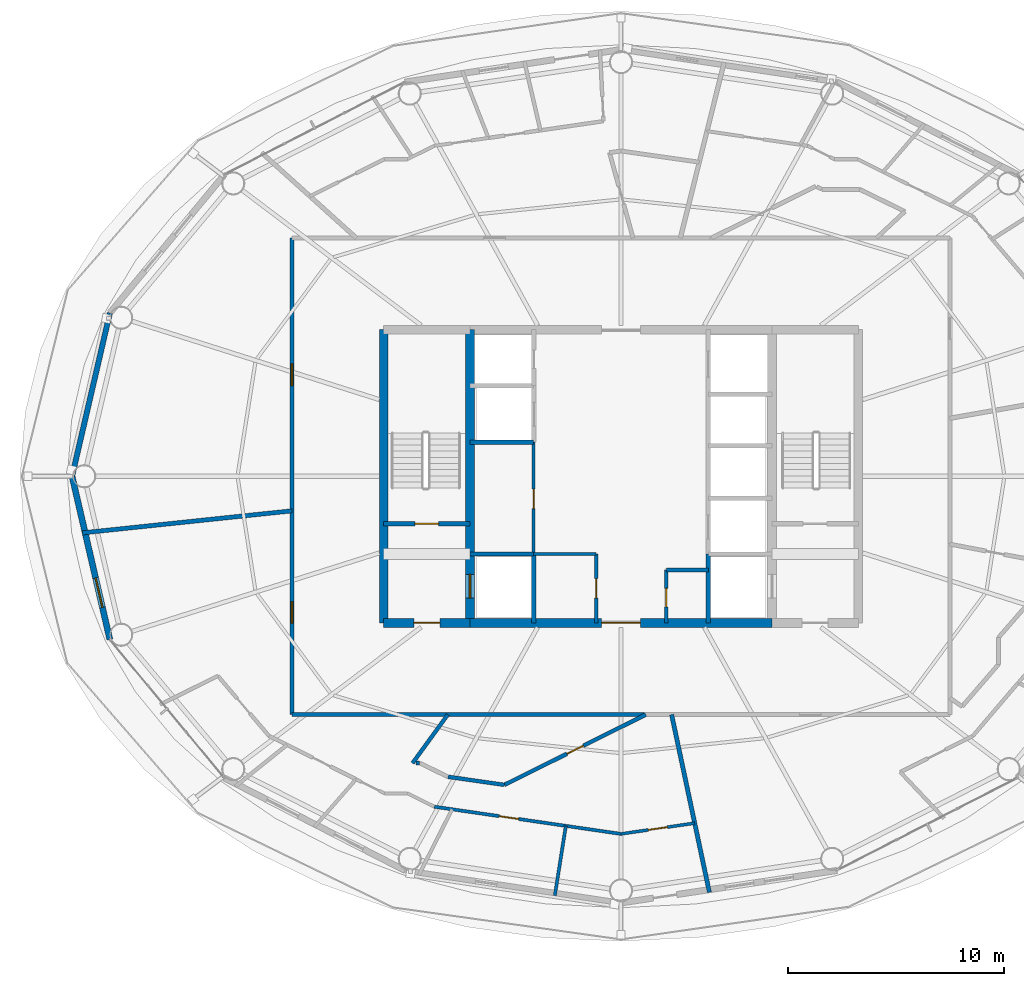
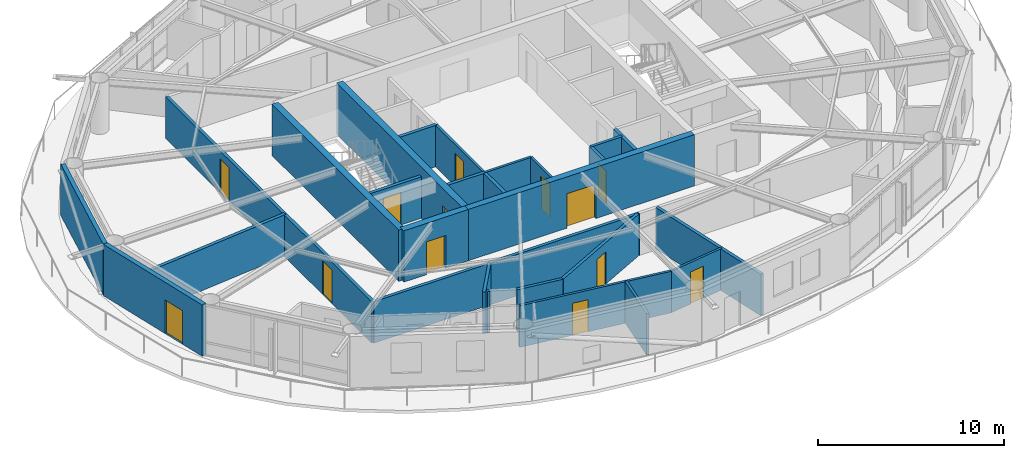
# One storey, part 16 of 23: 27 walls, 13 doors, 13 openings.
"""IFC4 building model written with IfcOpenShell, lengths in metres."""

import ifcopenshell
import ifcopenshell.guid

model = None  # the IFC model being written
_history = None  # IfcOwnerHistory: only IFC2X3 demands one
_inside = {}  # id of a spatial element -> (the spatial element, [elements in it])
_under = {}  # id of a project, library or spatial element -> (it, [spatial elements below it])
_declared = {}  # id of a project -> (the project, [libraries it declares])
_typed = {}  # id of a type object -> (the type object, [elements of that type])
_made_of = {}  # id of a material, layer set ... -> (it, [elements and type objects made of it])


def new_model(schema):
    """Start an empty IFC model of exactly this schema.

    Asked for "IFC4X3", IfcOpenShell would pick the latest addendum, in which some entities
    have other attributes; the version numbers below select the first issue.
    IFC2X3 requires an IfcOwnerHistory on every rooted entity: one is made here for all.
    """
    global model, _history
    if schema == "IFC4X3":
        model = ifcopenshell.file(schema_version=(4, 3, 0, 0))
    else:
        model = ifcopenshell.file(schema=schema)
    _inside.clear()
    _under.clear()
    _declared.clear()
    _typed.clear()
    _made_of.clear()
    _history = None
    if model.schema == "IFC2X3":
        org = make("IfcOrganization", Name="unknown")
        user = make(
            "IfcPersonAndOrganization",
            ThePerson=make("IfcPerson", FamilyName="unknown"),
            TheOrganization=org,
        )
        app = make(
            "IfcApplication",
            ApplicationDeveloper=org,
            Version="unknown",
            ApplicationFullName="unknown",
            ApplicationIdentifier="unknown",
        )
        _history = make(
            "IfcOwnerHistory",
            OwningUser=user,
            OwningApplication=app,
            ChangeAction="ADDED",
            CreationDate=0,
        )
    return model


def make(cls, **values):
    """One entity of the class cls with the attributes given. An attribute that is None is left unset."""
    return model.create_entity(
        cls, **{name: value for name, value in values.items() if value is not None}
    )


def rooted(cls, **values):
    """An entity with a GlobalId (a new one), such as an element, a storey or a relation."""
    return make(cls, GlobalId=ifcopenshell.guid.new(), OwnerHistory=_history, **values)


def si_unit(unit_type, name, prefix=None):
    """IfcSIUnit, for example si_unit("LENGTHUNIT", "METRE", prefix="MILLI")."""
    return make("IfcSIUnit", UnitType=unit_type, Prefix=prefix, Name=name)


def assignment(units):
    """IfcUnitAssignment: the units of a project."""
    return None if units is None else make("IfcUnitAssignment", Units=units)


def point(xyz):
    """IfcCartesianPoint."""
    return None if xyz is None else make("IfcCartesianPoint", Coordinates=xyz)


def direction(xyz):
    """IfcDirection."""
    return None if xyz is None else make("IfcDirection", DirectionRatios=xyz)


def frame(location, z_axis=None, x_axis=None):
    """IfcAxis2Placement3D, a coordinate frame: its origin and axes. An axis left out is left unset."""
    return make(
        "IfcAxis2Placement3D",
        Location=point(location),
        Axis=direction(z_axis),
        RefDirection=direction(x_axis),
    )


def frame_2d(location, x_axis=None):
    """IfcAxis2Placement2D, a coordinate frame in the plane: its origin and x axis."""
    return make(
        "IfcAxis2Placement2D", Location=point(location), RefDirection=direction(x_axis)
    )


def origin():
    """The frame at (0, 0, 0) with its axes left unset."""
    return frame((0.0, 0.0, 0.0))


def place(relative_to, where):
    """IfcLocalPlacement: puts the frame where relative to a parent placement (None: the world)."""
    return make(
        "IfcLocalPlacement", PlacementRelTo=relative_to, RelativePlacement=where
    )


def context(
    kind, dimensions, precision=None, world=None, true_north=None, identifier=None
):
    """IfcGeometricRepresentationContext, for example the 3D "Model" context."""
    return make(
        "IfcGeometricRepresentationContext",
        ContextIdentifier=identifier,
        ContextType=kind,
        CoordinateSpaceDimension=dimensions,
        Precision=precision,
        WorldCoordinateSystem=world,
        TrueNorth=true_north,
    )


def subcontext(parent, identifier, kind, view, scale=None):
    """IfcGeometricRepresentationSubContext, for example "Body" below "Model"."""
    return make(
        "IfcGeometricRepresentationSubContext",
        ContextIdentifier=identifier,
        ContextType=kind,
        ParentContext=parent,
        TargetScale=scale,
        TargetView=view,
    )


def project(units=None, contexts=None):
    """IfcProject with its units and contexts."""
    return rooted(
        "IfcProject",
        Name="project",
        RepresentationContexts=contexts,
        UnitsInContext=assignment(units),
    )


def spatial(cls, under=None, at=None, **own):
    """A site, building, storey or space (cls), placed at a placement, below another one or the project."""
    s = rooted(cls, ObjectPlacement=at, **own)
    if under is not None:
        _under.setdefault(under.id(), (under, []))[1].append(s)
    return s


def profile(cls, at=None, kind="AREA", **sizes):
    """A parametric profile (cls). Its sizes go by their IFC names, for example OverallWidth=200.0."""
    return make(cls, ProfileType=kind, Position=at, **sizes)


def rectangle(**sizes):
    """IfcRectangleProfileDef."""
    return profile("IfcRectangleProfileDef", **sizes)


def extrude(swept, where, along, depth):
    """IfcExtrudedAreaSolid: the profile swept, set in the frame where, extruded along a direction by depth."""
    return make(
        "IfcExtrudedAreaSolid",
        SweptArea=swept,
        Position=where,
        ExtrudedDirection=direction(along),
        Depth=depth,
    )


def shape(context_of_items, identifier, shape_type, items):
    """IfcShapeRepresentation: the items that make up one representation, for example the "Body"."""
    return make(
        "IfcShapeRepresentation",
        ContextOfItems=context_of_items,
        RepresentationIdentifier=identifier,
        RepresentationType=shape_type,
        Items=items,
    )


def material(Name=None, Category=None):
    """IfcMaterial."""
    return make("IfcMaterial", Name=Name, Category=Category)


def layer(
    of_material, thickness, ventilated=None, Name=None, Category=None, Priority=None
):
    """IfcMaterialLayer: one layer of a wall or slab, of a material (None: an air gap)."""
    return make(
        "IfcMaterialLayer",
        Material=of_material,
        LayerThickness=thickness,
        IsVentilated=ventilated,
        Name=Name,
        Category=Category,
        Priority=Priority,
    )


def layer_set(layers, Name=None):
    """IfcMaterialLayerSet."""
    return make("IfcMaterialLayerSet", MaterialLayers=layers, LayerSetName=Name)


def made_of(thing, what):
    """Note that an element or type object is made of a material, layer set ...; save() writes the relation."""
    if what is not None:
        _made_of.setdefault(what.id(), (what, []))[1].append(thing)
    return thing


def type_object(cls, material=None, **own):
    """A type object (cls), such as IfcWallType, which elements share."""
    return made_of(rooted(cls, **own), material)


def element(
    cls,
    number,
    at=None,
    inside=None,
    cuts=None,
    type_object=None,
    material=None,
    context=None,
    identifier="Body",
    shape_type=None,
    held_by="IfcProductDefinitionShape",
    body=None,
    shapes=None,
    **own,
):
    """One element of the class cls, such as IfcWall. Its Tag is "e" and its number.

    at: its placement. inside: the storey or other place that contains it. cuts: it is an
    opening in that element (IfcRelVoidsElement). A single representation is given by context,
    identifier, shape_type and body (its items); several are given by shapes. held_by: the class
    of the entity that holds the representations. save() writes the other relations.
    """
    e = rooted(cls, Tag="e%d" % number, ObjectPlacement=at, **own)
    if body is not None:
        shapes = [shape(context, identifier, shape_type, body)]
    if shapes is not None:
        e.Representation = make(held_by, Representations=shapes)
    if inside is not None:
        _inside.setdefault(inside.id(), (inside, []))[1].append(e)
    if cuts is not None:
        rooted(
            "IfcRelVoidsElement", RelatingBuildingElement=cuts, RelatedOpeningElement=e
        )
    if type_object is not None:
        _typed.setdefault(type_object.id(), (type_object, []))[1].append(e)
    return made_of(e, material)


def fill(opening, filler):
    """IfcRelFillsElement: the door or window that sits in an opening."""
    return rooted(
        "IfcRelFillsElement",
        RelatingOpeningElement=opening,
        RelatedBuildingElement=filler,
    )


def aggregate(whole, parts):
    """IfcRelAggregates: a whole, such as a stair, and the parts it consists of."""
    return rooted("IfcRelAggregates", RelatingObject=whole, RelatedObjects=parts)


def save(model, path):
    """Write the relations noted so far, then the file.

    IfcRelAggregates (storeys below a building ...), IfcRelContainedInSpatialStructure (elements
    in a storey), IfcRelDefinesByType, IfcRelAssociatesMaterial and IfcRelDeclares: one each for
    every whole, place, type object, material and project.
    """
    for whole, parts in _under.values():
        aggregate(whole, parts)
    for where, things in _inside.values():
        rooted(
            "IfcRelContainedInSpatialStructure",
            RelatedElements=things,
            RelatingStructure=where,
        )
    for kind, things in _typed.values():
        rooted("IfcRelDefinesByType", RelatedObjects=things, RelatingType=kind)
    for what, things in _made_of.values():
        rooted("IfcRelAssociatesMaterial", RelatedObjects=things, RelatingMaterial=what)
    for by, libraries in _declared.values():
        rooted("IfcRelDeclares", RelatingContext=by, RelatedDefinitions=libraries)
    model.write(path)


model = new_model("IFC4")

# Units and contexts
model_context = context("Model", 3, precision=1e-05, world=origin(), true_north=direction((0.0, 1.0)))
body_context = subcontext(model_context, "Body", "Model", "MODEL_VIEW")
ifc_project = project(units=[si_unit("LENGTHUNIT", "METRE"), si_unit("AREAUNIT", "SQUARE_METRE"), si_unit("VOLUMEUNIT", "CUBIC_METRE"), si_unit("PLANEANGLEUNIT", "RADIAN"), si_unit("MASSUNIT", "GRAM", prefix="KILO")], contexts=[model_context])

# Site, building, storey
site_placement = place(None, origin())
site = spatial("IfcSite", under=ifc_project, at=site_placement, CompositionType="ELEMENT")
building_placement = place(site_placement, origin())
building = spatial("IfcBuilding", under=site, at=building_placement, Name="Sarneth Arch Tower", CompositionType="ELEMENT")
storey_placement = place(building_placement, frame((0.0, 0.0, 246.0)))
storey = spatial("IfcBuildingStorey", under=building, at=storey_placement, Name="L63", CompositionType="ELEMENT", Elevation=246.0)

# Wall, opening, door
ifc_material_1 = material(Name="Concrete C50/60", Category="concrete")
ifc_layer_1 = layer(ifc_material_1, 0.39990234375)
ifc_layer_set_1 = layer_set([ifc_layer_1], Name="Concrete C50/60")
wall_type_1 = type_object("IfcWallType", Name="WALL-CORE-400", PredefinedType="SHEAR", material=ifc_layer_set_1)
wall_1_placement = place(storey_placement, frame((37.0, 35.199951171875, 0.0), z_axis=(0.0, 0.0, 1.0), x_axis=(1.0, 0.0, 0.0)))
wall_1 = element("IfcWall", 1, at=wall_1_placement, inside=storey, type_object=wall_type_1, Name="L63 Core shear wall S-W", PredefinedType="SHEAR", context=body_context, shape_type="SweptSolid", body=[
    extrude(rectangle(XDim=4.0, YDim=0.39990234375, at=frame_2d((2.0, 0.0))), origin(), (0.0, 0.0, 1.0), 3.360107421875),
])
opening_1_placement = place(wall_1_placement, frame((1.39990234375, 0.0, 0.0)))
opening_1 = element("IfcOpeningElement", 2, at=opening_1_placement, cuts=wall_1, Name="Opening FD-02", PredefinedType="OPENING", context=body_context, shape_type="SweptSolid", body=[
    extrude(rectangle(XDim=1.199951171875, YDim=2.14990234375, at=frame_2d((0.60009765625, 1.074951171875))), frame((0.0, 0.2099609375, 0.0), z_axis=(0.0, -1.0, 0.0), x_axis=(1.0, 0.0, 0.0)), (0.0, 0.0, 1.0), 0.419921875),
])
ifc_material_2 = material(Name="Galvanised Steel S275 fire door set", Category="steel")
door_type_1 = type_object("IfcDoorType", Name="DR-FD90-1200", OperationType="SINGLE_SWING_LEFT", PredefinedType="DOOR", material=ifc_material_2)
door_1_placement = place(opening_1_placement, origin())
door_1 = element("IfcDoor", 3, at=door_1_placement, inside=storey, type_object=door_type_1, Name="L63 Firefighting lobby 1 exit door", OperationType="SINGLE_SWING_LEFT", OverallHeight=2.14990234375, OverallWidth=1.199951171875, PredefinedType="DOOR", context=body_context, shape_type="SweptSolid", body=[
    extrude(rectangle(XDim=1.199951171875, YDim=2.14990234375, at=frame_2d((0.60009765625, 1.074951171875))), frame((0.0, 0.02490234375, 0.0), z_axis=(0.0, -1.0, 0.0), x_axis=(1.0, 0.0, 0.0)), (0.0, 0.0, 1.0), 0.050048828125),
])
fill(opening_1, door_1)

wall_2_placement = place(storey_placement, frame((41.0, 35.199951171875, 0.0), z_axis=(0.0, 0.0, 1.0), x_axis=(1.0, 0.0, 0.0)))
wall_2 = element("IfcWall", 4, at=wall_2_placement, inside=storey, type_object=wall_type_1, Name="L63 Core shear wall S-M", PredefinedType="SHEAR", context=body_context, shape_type="SweptSolid", body=[
    extrude(rectangle(XDim=14.0, YDim=0.39990234375, at=frame_2d((7.0, 0.0))), origin(), (0.0, 0.0, 1.0), 3.360107421875),
])
opening_2_placement = place(wall_2_placement, frame((6.10009765625, 0.0, 0.0)))
opening_2 = element("IfcOpeningElement", 5, at=opening_2_placement, cuts=wall_2, Name="Opening FD-01", PredefinedType="OPENING", context=body_context, shape_type="SweptSolid", body=[
    extrude(rectangle(XDim=1.800048828125, YDim=2.25, at=frame_2d((0.89990234375, 1.125))), frame((0.0, 0.2099609375, 0.0), z_axis=(0.0, -1.0, 0.0), x_axis=(1.0, 0.0, 0.0)), (0.0, 0.0, 1.0), 0.419921875),
])
ifc_material_3 = material(Name="Galvanised Steel S275 fire door set", Category="steel")
door_type_2 = type_object("IfcDoorType", Name="DR-FD90-1800", OperationType="DOUBLE_DOOR_SINGLE_SWING", PredefinedType="DOOR", material=ifc_material_3)
door_2_placement = place(opening_2_placement, origin())
door_2 = element("IfcDoor", 6, at=door_2_placement, inside=storey, type_object=door_type_2, Name="L63 Central lift lobby south door", OperationType="DOUBLE_DOOR_SINGLE_SWING", OverallHeight=2.25, OverallWidth=1.800048828125, PredefinedType="DOOR", context=body_context, shape_type="SweptSolid", body=[
    extrude(rectangle(XDim=1.800048828125, YDim=2.25, at=frame_2d((0.89990234375, 1.125))), frame((0.0, 0.02490234375, 0.0), z_axis=(0.0, -1.0, 0.0), x_axis=(1.0, 0.0, 0.0)), (0.0, 0.0, 1.0), 0.050048828125),
])
fill(opening_2, door_2)

# Wall
wall_3_placement = place(storey_placement, frame((37.0, 35.199951171875, 0.0), z_axis=(0.0, 0.0, 1.0), x_axis=(0.0, 1.0, 0.0)))
element("IfcWall", 7, at=wall_3_placement, inside=storey, type_object=wall_type_1, Name="L63 Core shear wall W", PredefinedType="SHEAR", context=body_context, shape_type="SweptSolid", body=[
    extrude(rectangle(XDim=13.60009765625, YDim=0.39990234375, at=frame_2d((6.800048828125, 0.0))), origin(), (0.0, 0.0, 1.0), 3.360107421875),
])

# Wall, opening, door
wall_4_placement = place(storey_placement, frame((41.0, 35.199951171875, 0.0), z_axis=(0.0, 0.0, 1.0), x_axis=(0.0, 1.0, 0.0)))
wall_4 = element("IfcWall", 8, at=wall_4_placement, inside=storey, type_object=wall_type_1, Name="L63 Core shear wall WEB-W", PredefinedType="SHEAR", context=body_context, shape_type="SweptSolid", body=[
    extrude(rectangle(XDim=13.60009765625, YDim=0.39990234375, at=frame_2d((6.800048828125, 0.0))), origin(), (0.0, 0.0, 1.0), 3.360107421875),
])
opening_3_placement = place(wall_4_placement, frame((1.14990234375, 0.0, 0.0)))
opening_3 = element("IfcOpeningElement", 9, at=opening_3_placement, cuts=wall_4, Name="Opening LD-1", PredefinedType="OPENING", context=body_context, shape_type="SweptSolid", body=[
    extrude(rectangle(XDim=1.10009765625, YDim=2.199951171875, at=frame_2d((0.550048828125, 1.10009765625))), frame((0.0, 0.2099609375, 0.0), z_axis=(0.0, -1.0, 0.0), x_axis=(1.0, 0.0, 0.0)), (0.0, 0.0, 1.0), 0.419921875),
])
ifc_material_4 = material(Name="Brushed Stainless Steel 304 lift landing door", Category="steel")
door_type_3 = type_object("IfcDoorType", Name="DR-LIFT-SLIDE-1100", OperationType="SLIDING_TO_LEFT", PredefinedType="DOOR", material=ifc_material_4)
door_3_placement = place(opening_3_placement, origin())
door_3 = element("IfcDoor", 10, at=door_3_placement, inside=storey, type_object=door_type_3, Name="L63 Firefighting lift landing door FL-1", OperationType="SLIDING_TO_LEFT", OverallHeight=2.199951171875, OverallWidth=1.10009765625, PredefinedType="DOOR", context=body_context, shape_type="SweptSolid", body=[
    extrude(rectangle(XDim=1.10009765625, YDim=2.199951171875, at=frame_2d((0.550048828125, 1.10009765625))), frame((0.0, 0.02490234375, 0.0), z_axis=(0.0, -1.0, 0.0), x_axis=(1.0, 0.0, 0.0)), (0.0, 0.0, 1.0), 0.050048828125),
])
fill(opening_3, door_3)

# Wall, openings, doors
ifc_material_5 = material(Name="Double steel-stud corridor fire wall", Category="steel")
ifc_layer_2 = layer(ifc_material_5, 0.18994140625)
ifc_layer_set_2 = layer_set([ifc_layer_2], Name="Double steel-stud corridor fire wall")
wall_type_2 = type_object("IfcWallType", Name="WALL-CORR-190", PredefinedType="PARTITIONING", material=ifc_layer_set_2)
wall_5_placement = place(storey_placement, frame((32.75, 30.949951171875, 0.0), z_axis=(0.0, 0.0, 1.0), x_axis=(0.0, 1.0, 0.0)))
wall_5 = element("IfcWall", 11, at=wall_5_placement, inside=storey, type_object=wall_type_2, Name="L63 Interior partition W-L63-TP-007", PredefinedType="PARTITIONING", context=body_context, shape_type="SweptSolid", body=[
    extrude(rectangle(XDim=22.10009765625, YDim=0.18994140625, at=frame_2d((11.050048828125, 0.0))), origin(), (0.0, 0.0, 1.0), 2.719970703125),
])
opening_4_placement = place(wall_5_placement, frame((15.257568359375, 0.0, 0.0)))
opening_4 = element("IfcOpeningElement", 12, at=opening_4_placement, cuts=wall_5, Name="Opening FD-08", PredefinedType="OPENING", context=body_context, shape_type="SweptSolid", body=[
    extrude(rectangle(XDim=1.0, YDim=2.199951171875, at=frame_2d((0.5, 1.10009765625))), frame((0.0, 0.10498046875, 0.0), z_axis=(0.0, -1.0, 0.0), x_axis=(1.0, 0.0, 0.0)), (0.0, 0.0, 1.0), 0.2099609375),
])
opening_5_placement = place(wall_5_placement, frame((4.23974609375, 0.0, 0.0)))
opening_5 = element("IfcOpeningElement", 13, at=opening_5_placement, cuts=wall_5, Name="Opening FD-08", PredefinedType="OPENING", context=body_context, shape_type="SweptSolid", body=[
    extrude(rectangle(XDim=1.0, YDim=2.199951171875, at=frame_2d((0.5, 1.10009765625))), frame((0.0, 0.10498046875, 0.0), z_axis=(0.0, -1.0, 0.0), x_axis=(1.0, 0.0, 0.0)), (0.0, 0.0, 1.0), 0.2099609375),
])
ifc_material_6 = material(Name="Hardwood timber acoustic fire door", Category="wood")
door_type_4 = type_object("IfcDoorType", Name="DR-FD60-1000", OperationType="SINGLE_SWING_LEFT", PredefinedType="DOOR", material=ifc_material_6)
door_4_placement = place(opening_4_placement, origin())
door_4 = element("IfcDoor", 14, at=door_4_placement, inside=storey, type_object=door_type_4, Name="L63 Interior door DR-L63-RAMN-03", OperationType="SINGLE_SWING_LEFT", OverallHeight=2.199951171875, OverallWidth=1.0, PredefinedType="DOOR", context=body_context, shape_type="SweptSolid", body=[
    extrude(rectangle(XDim=1.0, YDim=2.199951171875, at=frame_2d((0.5, 1.10009765625))), frame((0.0, 0.02490234375, 0.0), z_axis=(0.0, -1.0, 0.0), x_axis=(1.0, 0.0, 0.0)), (0.0, 0.0, 1.0), 0.050048828125),
])
fill(opening_4, door_4)
door_5_placement = place(opening_5_placement, origin())
door_5 = element("IfcDoor", 15, at=door_5_placement, inside=storey, type_object=door_type_4, Name="L63 Interior door DR-L63-U4-ENT", OperationType="SINGLE_SWING_LEFT", OverallHeight=2.199951171875, OverallWidth=1.0, PredefinedType="DOOR", context=body_context, shape_type="SweptSolid", body=[
    extrude(rectangle(XDim=1.0, YDim=2.199951171875, at=frame_2d((0.5, 1.10009765625))), frame((0.0, 0.02490234375, 0.0), z_axis=(0.0, -1.0, 0.0), x_axis=(1.0, 0.0, 0.0)), (0.0, 0.0, 1.0), 0.050048828125),
])
fill(opening_5, door_5)

# Walls
wall_6_placement = place(storey_placement, frame((49.2236328125, 30.949951171875, 0.0), z_axis=(0.0, 0.0, 1.0), x_axis=(-1.0, 0.0, 0.0)))
element("IfcWall", 16, at=wall_6_placement, inside=storey, type_object=wall_type_2, Name="L63 Interior partition W-L63-TP-012", PredefinedType="PARTITIONING", context=body_context, shape_type="SweptSolid", body=[
    extrude(rectangle(XDim=16.4736328125, YDim=0.18994140625, at=frame_2d((8.23681640625, 0.0))), origin(), (0.0, 0.0, 1.0), 2.719970703125),
])
ifc_material_7 = material(Name="Extruded terracotta rainscreen on Concrete C40/50 backing", Category="masonry")
ifc_layer_3 = layer(ifc_material_7, 0.25)
ifc_layer_set_3 = layer_set([ifc_layer_3], Name="Extruded terracotta rainscreen on Concrete C40/50 backing")
wall_type_3 = type_object("IfcWallType", Name="WALL-EXT-SPAND-250", PredefinedType="SOLIDWALL", material=ifc_layer_set_3)
wall_7_placement = place(storey_placement, frame((24.30615234375, 49.569580078125, 0.0), z_axis=(0.0, 0.0, 1.0), x_axis=(-0.225635078214, -0.974211892495, 0.0)))
element("IfcWall", 17, at=wall_7_placement, inside=storey, type_object=wall_type_3, Name="L63 Terracotta perimeter wall 08", PredefinedType="SOLIDWALL", context=body_context, shape_type="SweptSolid", body=[
    extrude(rectangle(XDim=7.77001953125, YDim=0.25, at=frame_2d((3.885009765625, 0.0))), origin(), (0.0, 0.0, 1.0), 3.360107421875),
])

# Wall, opening, door
ifc_material_8 = material(Name="Extruded terracotta rainscreen on Concrete C40/50 backing", Category="masonry")
ifc_layer_4 = layer(ifc_material_8, 0.280029296875)
ifc_layer_set_4 = layer_set([ifc_layer_4], Name="Extruded terracotta rainscreen on Concrete C40/50 backing")
wall_type_4 = type_object("IfcWallType", Name="WALL-EXT-TERRA-280", PredefinedType="SOLIDWALL", material=ifc_layer_set_4)
wall_8_placement = place(storey_placement, frame((22.552978515625, 42.0, 0.0), z_axis=(0.0, 0.0, 1.0), x_axis=(0.225635078214, -0.974211892495, 0.0)))
wall_8 = element("IfcWall", 18, at=wall_8_placement, inside=storey, type_object=wall_type_4, Name="L63 Terracotta perimeter wall 09", PredefinedType="SOLIDWALL", context=body_context, shape_type="SweptSolid", body=[
    extrude(rectangle(XDim=7.77001953125, YDim=0.280029296875, at=frame_2d((3.885009765625, 0.0))), origin(), (0.0, 0.0, 1.0), 3.360107421875),
])
opening_6_placement = place(wall_8_placement, frame((4.842041015625, 0.0, 0.0)))
opening_6 = element("IfcOpeningElement", 19, at=opening_6_placement, cuts=wall_8, Name="Opening BD-2", PredefinedType="OPENING", context=body_context, shape_type="SweptSolid", body=[
    extrude(rectangle(XDim=1.39990234375, YDim=2.199951171875, at=frame_2d((0.699951171875, 1.10009765625))), frame((0.0, 0.14990234375, 0.0), z_axis=(0.0, -1.0, 0.0), x_axis=(1.0, 0.0, 0.0)), (0.0, 0.0, 1.0), 0.300048828125),
])
ifc_material_9 = material(Name="Thermally broken Aluminium 6063-T6 and laminated safety glass", Category="aluminium")
door_type_5 = type_object("IfcDoorType", Name="DR-BALC-GLZ-1400", OperationType="SINGLE_SWING_LEFT", PredefinedType="DOOR", material=ifc_material_9)
door_6_placement = place(opening_6_placement, origin())
door_6 = element("IfcDoor", 20, at=door_6_placement, inside=storey, type_object=door_type_5, Name="L63 Balcony glazed door 09", OperationType="SINGLE_SWING_LEFT", OverallHeight=2.199951171875, OverallWidth=1.39990234375, PredefinedType="DOOR", context=body_context, shape_type="SweptSolid", body=[
    extrude(rectangle(XDim=1.39990234375, YDim=2.199951171875, at=frame_2d((0.699951171875, 1.10009765625))), frame((0.0, 0.02490234375, 0.0), z_axis=(0.0, -1.0, 0.0), x_axis=(1.0, 0.0, 0.0)), (0.0, 0.0, 1.0), 0.050048828125),
])
fill(opening_6, door_6)

ifc_material_10 = material(Name="Apartment internal stud partition", Category="gypsum")
ifc_layer_5 = layer(ifc_material_10, 0.139892578125)
ifc_layer_set_5 = layer_set([ifc_layer_5], Name="Apartment internal stud partition")
wall_type_5 = type_object("IfcWallType", Name="WALL-PART-140", PredefinedType="PARTITIONING", material=ifc_layer_set_5)
wall_9_placement = place(storey_placement, frame((51.418212890625, 25.91845703125, 0.0), z_axis=(0.0, 0.0, 1.0), x_axis=(-0.989531088682, -0.144319868801, 0.0)))
wall_9 = element("IfcWall", 21, at=wall_9_placement, inside=storey, type_object=wall_type_5, Name="L63 Interior partition W-L63-TP-073", PredefinedType="PARTITIONING", context=body_context, shape_type="SweptSolid", body=[
    extrude(rectangle(XDim=3.454345703125, YDim=0.139892578125, at=frame_2d((1.72705078125, 0.0))), origin(), (0.0, 0.0, 1.0), 2.719970703125),
])
opening_7_placement = place(wall_9_placement, frame((1.277099609375, 0.0, 0.0)))
opening_7 = element("IfcOpeningElement", 22, at=opening_7_placement, cuts=wall_9, Name="Opening ID-01", PredefinedType="OPENING", context=body_context, shape_type="SweptSolid", body=[
    extrude(rectangle(XDim=0.89990234375, YDim=2.10009765625, at=frame_2d((0.449951171875, 1.050048828125))), frame((0.0, 0.079833984375, 0.0), z_axis=(0.0, -1.0, 0.0), x_axis=(1.0, 0.0, 0.0)), (0.0, 0.0, 1.0), 0.159912109375),
])
ifc_material_11 = material(Name="Engineered hardwood flush door", Category="wood")
door_type_6 = type_object("IfcDoorType", Name="DR-INT-900", OperationType="SINGLE_SWING_LEFT", PredefinedType="DOOR", material=ifc_material_11)
door_7_placement = place(opening_7_placement, origin())
door_7 = element("IfcDoor", 23, at=door_7_placement, inside=storey, type_object=door_type_6, Name="L63 Interior door DR-L63-U4-BED3", OperationType="SINGLE_SWING_LEFT", OverallHeight=2.10009765625, OverallWidth=0.89990234375, PredefinedType="DOOR", context=body_context, shape_type="SweptSolid", body=[
    extrude(rectangle(XDim=0.89990234375, YDim=2.10009765625, at=frame_2d((0.449951171875, 1.050048828125))), frame((0.0, 0.02490234375, 0.0), z_axis=(0.0, -1.0, 0.0), x_axis=(1.0, 0.0, 0.0)), (0.0, 0.0, 1.0), 0.050048828125),
])
fill(opening_7, door_7)

ifc_material_12 = material(Name="Acoustic gypsum stud partition", Category="gypsum")
ifc_layer_6 = layer(ifc_material_12, 0.14990234375)
ifc_layer_set_6 = layer_set([ifc_layer_6], Name="Acoustic gypsum stud partition")
wall_type_6 = type_object("IfcWallType", Name="WALL-PART-150", PredefinedType="PARTITIONING", material=ifc_layer_set_6)
wall_10_placement = place(storey_placement, frame((43.949951171875, 38.39990234375, 0.0), z_axis=(0.0, 0.0, 1.0), x_axis=(0.0, 1.0, 0.0)))
wall_10 = element("IfcWall", 24, at=wall_10_placement, inside=storey, type_object=wall_type_6, Name="L63 Interior partition W-L63-RECPL-E", PredefinedType="PARTITIONING", context=body_context, shape_type="SweptSolid", body=[
    extrude(rectangle(XDim=5.18017578125, YDim=0.14990234375, at=frame_2d((2.590087890625, 0.0))), origin(), (0.0, 0.0, 1.0), 2.719970703125),
])
opening_8_placement = place(wall_10_placement, frame((2.10009765625, 0.0, 0.0)))
opening_8 = element("IfcOpeningElement", 25, at=opening_8_placement, cuts=wall_10, Name="Opening FD-10", PredefinedType="OPENING", context=body_context, shape_type="SweptSolid", body=[
    extrude(rectangle(XDim=0.89990234375, YDim=2.14990234375, at=frame_2d((0.449951171875, 1.074951171875))), frame((0.0, 0.0849609375, 0.0), z_axis=(0.0, -1.0, 0.0), x_axis=(1.0, 0.0, 0.0)), (0.0, 0.0, 1.0), 0.169921875),
])
ifc_material_13 = material(Name="Galvanised Steel S275 riser/service fire door", Category="steel")
door_type_7 = type_object("IfcDoorType", Name="DR-FD60-900", OperationType="SINGLE_SWING_LEFT", PredefinedType="DOOR", material=ifc_material_13)
door_8_placement = place(opening_8_placement, origin())
door_8 = element("IfcDoor", 26, at=door_8_placement, inside=storey, type_object=door_type_7, Name="L63 Interior door DR-L63-RECPL1", OperationType="SINGLE_SWING_LEFT", OverallHeight=2.14990234375, OverallWidth=0.89990234375, PredefinedType="DOOR", context=body_context, shape_type="SweptSolid", body=[
    extrude(rectangle(XDim=0.89990234375, YDim=2.14990234375, at=frame_2d((0.449951171875, 1.074951171875))), frame((0.0, 0.02490234375, 0.0), z_axis=(0.0, -1.0, 0.0), x_axis=(1.0, 0.0, 0.0)), (0.0, 0.0, 1.0), 0.050048828125),
])
fill(opening_8, door_8)

# Wall
wall_11_placement = place(storey_placement, frame((43.949951171875, 38.39990234375, 0.0), z_axis=(0.0, 0.0, 1.0), x_axis=(1.0, 0.0, 0.0)))
element("IfcWall", 27, at=wall_11_placement, inside=storey, type_object=wall_type_6, Name="L63 Interior partition W-L63-CSUP1-N", PredefinedType="PARTITIONING", context=body_context, shape_type="SweptSolid", body=[
    extrude(rectangle(XDim=2.900146484375, YDim=0.14990234375, at=frame_2d((1.4501953125, 0.0))), origin(), (0.0, 0.0, 1.0), 2.719970703125),
])

# Wall, opening, door
wall_12_placement = place(storey_placement, frame((46.85009765625, 35.199951171875, 0.0), z_axis=(0.0, 0.0, 1.0), x_axis=(0.0, 1.0, 0.0)))
wall_12 = element("IfcWall", 28, at=wall_12_placement, inside=storey, type_object=wall_type_6, Name="L63 Interior partition W-L63-CSUP1-E", PredefinedType="PARTITIONING", context=body_context, shape_type="SweptSolid", body=[
    extrude(rectangle(XDim=3.199951171875, YDim=0.14990234375, at=frame_2d((1.60009765625, 0.0))), origin(), (0.0, 0.0, 1.0), 2.719970703125),
])
opening_9_placement = place(wall_12_placement, frame((1.14990234375, 0.0, 0.0)))
opening_9 = element("IfcOpeningElement", 29, at=opening_9_placement, cuts=wall_12, Name="Opening FD-10", PredefinedType="OPENING", context=body_context, shape_type="SweptSolid", body=[
    extrude(rectangle(XDim=0.89990234375, YDim=2.14990234375, at=frame_2d((0.449951171875, 1.074951171875))), frame((0.0, 0.0849609375, 0.0), z_axis=(0.0, -1.0, 0.0), x_axis=(1.0, 0.0, 0.0)), (0.0, 0.0, 1.0), 0.169921875),
])
door_9_placement = place(opening_9_placement, origin())
door_9 = element("IfcDoor", 30, at=door_9_placement, inside=storey, type_object=door_type_7, Name="L63 Interior door DR-L63-CSUP1", OperationType="SINGLE_SWING_LEFT", OverallHeight=2.14990234375, OverallWidth=0.89990234375, PredefinedType="DOOR", context=body_context, shape_type="SweptSolid", body=[
    extrude(rectangle(XDim=0.89990234375, YDim=2.14990234375, at=frame_2d((0.449951171875, 1.074951171875))), frame((0.0, 0.02490234375, 0.0), z_axis=(0.0, -1.0, 0.0), x_axis=(1.0, 0.0, 0.0)), (0.0, 0.0, 1.0), 0.050048828125),
])
fill(opening_9, door_9)

wall_13_placement = place(storey_placement, frame((48.0, 25.419921875, 0.0), z_axis=(0.0, 0.0, 1.0), x_axis=(-0.989532150642, 0.144312587273, 0.0)))
wall_13 = element("IfcWall", 31, at=wall_13_placement, inside=storey, type_object=wall_type_6, Name="L63 Interior partition W-L63-TP-072", PredefinedType="PARTITIONING", context=body_context, shape_type="SweptSolid", body=[
    extrude(rectangle(XDim=8.746337890625, YDim=0.14990234375, at=frame_2d((4.373046875, 0.0))), origin(), (0.0, 0.0, 1.0), 2.719970703125),
])
opening_10_placement = place(wall_13_placement, frame((4.797607421875, 0.0, 0.0)))
opening_10 = element("IfcOpeningElement", 32, at=opening_10_placement, cuts=wall_13, Name="Opening ID-01", PredefinedType="OPENING", context=body_context, shape_type="SweptSolid", body=[
    extrude(rectangle(XDim=0.89990234375, YDim=2.10009765625, at=frame_2d((0.449951171875, 1.050048828125))), frame((0.0, 0.0849609375, 0.0), z_axis=(0.0, -1.0, 0.0), x_axis=(1.0, 0.0, 0.0)), (0.0, 0.0, 1.0), 0.169921875),
])
door_10_placement = place(opening_10_placement, origin())
door_10 = element("IfcDoor", 33, at=door_10_placement, inside=storey, type_object=door_type_6, Name="L63 Interior door DR-L63-U4-BED2", OperationType="SINGLE_SWING_RIGHT", OverallHeight=2.10009765625, OverallWidth=0.89990234375, PredefinedType="DOOR", context=body_context, shape_type="SweptSolid", body=[
    extrude(rectangle(XDim=0.89990234375, YDim=2.10009765625, at=frame_2d((0.449951171875, 1.050048828125))), frame((0.0, 0.02490234375, 0.0), z_axis=(0.0, -1.0, 0.0), x_axis=(1.0, 0.0, 0.0)), (0.0, 0.0, 1.0), 0.050048828125),
])
fill(opening_10, door_10)

# Walls
wall_14_placement = place(storey_placement, frame((44.93408203125, 22.559814453125, 0.0), z_axis=(0.0, 0.0, 1.0), x_axis=(0.155828503033, 0.98778412502, 0.0)))
element("IfcWall", 34, at=wall_14_placement, inside=storey, type_object=wall_type_6, Name="L63 Interior partition W-L63-TP-079", PredefinedType="PARTITIONING", context=body_context, shape_type="SweptSolid", body=[
    extrude(rectangle(XDim=3.27294921875, YDim=0.14990234375, at=frame_2d((1.636474609375, 0.0))), origin(), (0.0, 0.0, 1.0), 2.719970703125),
])
ifc_material_14 = material(Name="Moisture-resistant plumbing chase wall", Category="gypsum")
ifc_layer_7 = layer(ifc_material_14, 0.179931640625)
ifc_layer_set_7 = layer_set([ifc_layer_7], Name="Moisture-resistant plumbing chase wall")
wall_type_7 = type_object("IfcWallType", Name="WALL-PLUMB-180", PredefinedType="PLUMBINGWALL", material=ifc_layer_set_7)
wall_15_placement = place(storey_placement, frame((50.10009765625, 37.64990234375, 0.0), z_axis=(0.0, 0.0, 1.0), x_axis=(1.0, 0.0, 0.0)))
element("IfcWall", 35, at=wall_15_placement, inside=storey, type_object=wall_type_7, Name="L63 Interior partition W-L63-AWC-N", PredefinedType="PLUMBINGWALL", context=body_context, shape_type="SweptSolid", body=[
    extrude(rectangle(XDim=1.949951171875, YDim=0.179931640625, at=frame_2d((0.97509765625, 0.0))), origin(), (0.0, 0.0, 1.0), 2.719970703125),
])

# Wall, opening, door
wall_16_placement = place(storey_placement, frame((50.10009765625, 35.199951171875, 0.0), z_axis=(0.0, 0.0, 1.0), x_axis=(0.0, 1.0, 0.0)))
wall_16 = element("IfcWall", 36, at=wall_16_placement, inside=storey, type_object=wall_type_7, Name="L63 Interior partition W-L63-AWC-W", PredefinedType="PLUMBINGWALL", context=body_context, shape_type="SweptSolid", body=[
    extrude(rectangle(XDim=2.449951171875, YDim=0.179931640625, at=frame_2d((1.22509765625, 0.0))), origin(), (0.0, 0.0, 1.0), 2.719970703125),
])
opening_11_placement = place(wall_16_placement, frame((0.75, 0.0, 0.0)))
opening_11 = element("IfcOpeningElement", 37, at=opening_11_placement, cuts=wall_16, Name="Opening ID-02", PredefinedType="OPENING", context=body_context, shape_type="SweptSolid", body=[
    extrude(rectangle(XDim=0.85009765625, YDim=2.10009765625, at=frame_2d((0.425048828125, 1.050048828125))), frame((0.0, 0.099853515625, 0.0), z_axis=(0.0, -1.0, 0.0), x_axis=(1.0, 0.0, 0.0)), (0.0, 0.0, 1.0), 0.199951171875),
])
ifc_material_15 = material(Name="Moisture-resistant bathroom timber door", Category="wood")
door_type_8 = type_object("IfcDoorType", Name="DR-INT-850", OperationType="SINGLE_SWING_RIGHT", PredefinedType="DOOR", material=ifc_material_15)
door_11_placement = place(opening_11_placement, origin())
door_11 = element("IfcDoor", 38, at=door_11_placement, inside=storey, type_object=door_type_8, Name="L63 Interior door DR-L63-AWC", OperationType="SINGLE_SWING_RIGHT", OverallHeight=2.10009765625, OverallWidth=0.85009765625, PredefinedType="DOOR", context=body_context, shape_type="SweptSolid", body=[
    extrude(rectangle(XDim=0.85009765625, YDim=2.10009765625, at=frame_2d((0.425048828125, 1.050048828125))), frame((0.0, 0.02490234375, 0.0), z_axis=(0.0, -1.0, 0.0), x_axis=(1.0, 0.0, 0.0)), (0.0, 0.0, 1.0), 0.050048828125),
])
fill(opening_11, door_11)

wall_17_placement = place(storey_placement, frame((42.592529296875, 27.693603515625, 0.0), z_axis=(0.0, 0.0, 1.0), x_axis=(0.895690491041, 0.444678023134, 0.0)))
wall_17 = element("IfcWall", 39, at=wall_17_placement, inside=storey, type_object=wall_type_7, Name="L63 Interior partition W-L63-TP-067", PredefinedType="PLUMBINGWALL", context=body_context, shape_type="SweptSolid", body=[
    extrude(rectangle(XDim=7.322998046875, YDim=0.179931640625, at=frame_2d((3.66162109375, 0.0))), origin(), (0.0, 0.0, 1.0), 2.719970703125),
])
opening_12_placement = place(wall_17_placement, frame((3.236572265625, 0.0, 0.0)))
opening_12 = element("IfcOpeningElement", 40, at=opening_12_placement, cuts=wall_17, Name="Opening ID-02", PredefinedType="OPENING", context=body_context, shape_type="SweptSolid", body=[
    extrude(rectangle(XDim=0.85009765625, YDim=2.10009765625, at=frame_2d((0.425048828125, 1.050048828125))), frame((0.0, 0.099853515625, 0.0), z_axis=(0.0, -1.0, 0.0), x_axis=(1.0, 0.0, 0.0)), (0.0, 0.0, 1.0), 0.199951171875),
])
door_12_placement = place(opening_12_placement, origin())
door_12 = element("IfcDoor", 41, at=door_12_placement, inside=storey, type_object=door_type_8, Name="L63 Interior door DR-L63-U4-BATH", OperationType="SINGLE_SWING_LEFT", OverallHeight=2.10009765625, OverallWidth=0.85009765625, PredefinedType="DOOR", context=body_context, shape_type="SweptSolid", body=[
    extrude(rectangle(XDim=0.85009765625, YDim=2.10009765625, at=frame_2d((0.425048828125, 1.050048828125))), frame((0.0, 0.02490234375, 0.0), z_axis=(0.0, -1.0, 0.0), x_axis=(1.0, 0.0, 0.0)), (0.0, 0.0, 1.0), 0.050048828125),
])
fill(opening_12, door_12)

# Walls
wall_18_placement = place(storey_placement, frame((39.9716796875, 30.949951171875, 0.0), z_axis=(0.0, 0.0, 1.0), x_axis=(-0.587795827483, -0.809009310944, 0.0)))
element("IfcWall", 42, at=wall_18_placement, inside=storey, type_object=wall_type_7, Name="L63 Interior partition W-L63-TP-063", PredefinedType="PLUMBINGWALL", context=body_context, shape_type="SweptSolid", body=[
    extrude(rectangle(XDim=2.78125, YDim=0.179931640625, at=frame_2d((1.390625, 0.0))), origin(), (0.0, 0.0, 1.0), 2.719970703125),
])
wall_19_placement = place(storey_placement, frame((39.97607421875, 28.06787109375, 0.0), z_axis=(0.0, 0.0, 1.0), x_axis=(0.989923613655, -0.141602398034, 0.0)))
element("IfcWall", 43, at=wall_19_placement, inside=storey, type_object=wall_type_7, Name="L63 Interior partition W-L63-TP-066", PredefinedType="PLUMBINGWALL", context=body_context, shape_type="SweptSolid", body=[
    extrude(rectangle(XDim=2.64306640625, YDim=0.179931640625, at=frame_2d((1.321533203125, 0.0))), origin(), (0.0, 0.0, 1.0), 2.719970703125),
])
wall_20_placement = place(storey_placement, frame((38.5009765625, 28.699951171875, 0.0), z_axis=(0.0, 0.0, 1.0), x_axis=(1.0, 0.0, 0.0)))
element("IfcWall", 44, at=wall_20_placement, inside=storey, type_object=wall_type_7, Name="L63 Interior partition W-L63-TP-064", PredefinedType="PLUMBINGWALL", context=body_context, shape_type="SweptSolid", body=[
    extrude(rectangle(XDim=0.150146484375, YDim=0.179931640625, at=frame_2d((0.0751953125, 0.0))), origin(), (0.0, 0.0, 1.0), 2.719970703125),
])

# Wall, opening, door
ifc_material_16 = material(Name="Aerated concrete blockwork C25/30", Category="masonry")
ifc_layer_8 = layer(ifc_material_16, 0.199951171875)
ifc_layer_set_8 = layer_set([ifc_layer_8], Name="Aerated concrete blockwork C25/30")
wall_type_8 = type_object("IfcWallType", Name="WALL-SHAFT-200", PredefinedType="SOLIDWALL", material=ifc_layer_set_8)
wall_21_placement = place(storey_placement, frame((37.0, 39.800048828125, 0.0), z_axis=(0.0, 0.0, 1.0), x_axis=(1.0, 0.0, 0.0)))
wall_21 = element("IfcWall", 45, at=wall_21_placement, inside=storey, type_object=wall_type_8, Name="L63 Interior partition W-L63-ST1-S", PredefinedType="SOLIDWALL", context=body_context, shape_type="SweptSolid", body=[
    extrude(rectangle(XDim=4.0, YDim=0.199951171875, at=frame_2d((2.0, 0.0))), origin(), (0.0, 0.0, 1.0), 2.719970703125),
])
opening_13_placement = place(wall_21_placement, frame((1.449951171875, 0.0, 0.0)))
opening_13 = element("IfcOpeningElement", 46, at=opening_13_placement, cuts=wall_21, Name="Opening FD-03", PredefinedType="OPENING", context=body_context, shape_type="SweptSolid", body=[
    extrude(rectangle(XDim=1.10009765625, YDim=2.14990234375, at=frame_2d((0.550048828125, 1.074951171875))), frame((0.0, 0.10986328125, 0.0), z_axis=(0.0, -1.0, 0.0), x_axis=(1.0, 0.0, 0.0)), (0.0, 0.0, 1.0), 0.219970703125),
])
ifc_material_17 = material(Name="Galvanised Steel S275 fire door set", Category="steel")
door_type_9 = type_object("IfcDoorType", Name="DR-FD90-1100", OperationType="SINGLE_SWING_LEFT", PredefinedType="DOOR", material=ifc_material_17)
door_13_placement = place(opening_13_placement, origin())
door_13 = element("IfcDoor", 47, at=door_13_placement, inside=storey, type_object=door_type_9, Name="L63 Interior door DR-L63-ST1", OperationType="SINGLE_SWING_LEFT", OverallHeight=2.14990234375, OverallWidth=1.10009765625, PredefinedType="DOOR", context=body_context, shape_type="SweptSolid", body=[
    extrude(rectangle(XDim=1.10009765625, YDim=2.14990234375, at=frame_2d((0.550048828125, 1.074951171875))), frame((0.0, 0.02490234375, 0.0), z_axis=(0.0, -1.0, 0.0), x_axis=(1.0, 0.0, 0.0)), (0.0, 0.0, 1.0), 0.050048828125),
])
fill(opening_13, door_13)

# Walls
wall_22_placement = place(storey_placement, frame((43.949951171875, 35.199951171875, 0.0), z_axis=(0.0, 0.0, 1.0), x_axis=(0.0, 1.0, 0.0)))
element("IfcWall", 48, at=wall_22_placement, inside=storey, type_object=wall_type_8, Name="L63 Interior partition W-L63-FL1-E", PredefinedType="SOLIDWALL", context=body_context, shape_type="SweptSolid", body=[
    extrude(rectangle(XDim=3.199951171875, YDim=0.199951171875, at=frame_2d((1.60009765625, 0.0))), origin(), (0.0, 0.0, 1.0), 2.719970703125),
])
wall_23_placement = place(storey_placement, frame((41.0, 38.39990234375, 0.0), z_axis=(0.0, 0.0, 1.0), x_axis=(1.0, 0.0, 0.0)))
element("IfcWall", 49, at=wall_23_placement, inside=storey, type_object=wall_type_8, Name="L63 Interior partition W-L63-FL1-N", PredefinedType="SOLIDWALL", context=body_context, shape_type="SweptSolid", body=[
    extrude(rectangle(XDim=2.949951171875, YDim=0.199951171875, at=frame_2d((1.47509765625, 0.0))), origin(), (0.0, 0.0, 1.0), 2.719970703125),
])
wall_24_placement = place(storey_placement, frame((52.050048828125, 35.199951171875, 0.0), z_axis=(0.0, 0.0, 1.0), x_axis=(0.0, 1.0, 0.0)))
element("IfcWall", 50, at=wall_24_placement, inside=storey, type_object=wall_type_8, Name="L63 Interior partition W-L63-FL2-W", PredefinedType="SOLIDWALL", context=body_context, shape_type="SweptSolid", body=[
    extrude(rectangle(XDim=3.199951171875, YDim=0.199951171875, at=frame_2d((1.60009765625, 0.0))), origin(), (0.0, 0.0, 1.0), 2.719970703125),
])
wall_25_placement = place(storey_placement, frame((41.0, 43.580078125, 0.0), z_axis=(0.0, 0.0, 1.0), x_axis=(1.0, 0.0, 0.0)))
element("IfcWall", 51, at=wall_25_placement, inside=storey, type_object=wall_type_8, Name="L63 Interior partition W-L63-PM1-S", PredefinedType="SOLIDWALL", context=body_context, shape_type="SweptSolid", body=[
    extrude(rectangle(XDim=2.949951171875, YDim=0.199951171875, at=frame_2d((1.47509765625, 0.0))), origin(), (0.0, 0.0, 1.0), 2.719970703125),
])
ifc_material_18 = material(Name="Double steel-stud acoustic drywall", Category="steel")
ifc_layer_9 = layer(ifc_material_18, 0.199951171875)
ifc_layer_set_9 = layer_set([ifc_layer_9], Name="Double steel-stud acoustic drywall")
wall_type_9 = type_object("IfcWallType", Name="WALL-UNIT-200", PredefinedType="PARTITIONING", material=ifc_layer_set_9)
wall_26_placement = place(storey_placement, frame((32.75, 40.397216796875, 0.0), z_axis=(0.0, 0.0, 1.0), x_axis=(-0.994521469813, -0.104532512074, 0.0)))
element("IfcWall", 52, at=wall_26_placement, inside=storey, type_object=wall_type_9, Name="L63 Interior partition W-L63-TP-058", PredefinedType="PARTITIONING", context=body_context, shape_type="SweptSolid", body=[
    extrude(rectangle(XDim=9.764892578125, YDim=0.199951171875, at=frame_2d((4.88232421875, 0.0))), origin(), (0.0, 0.0, 1.0), 2.719970703125),
])
wall_27_placement = place(storey_placement, frame((50.3486328125, 30.949951171875, 0.0), z_axis=(0.0, 0.0, 1.0), x_axis=(0.207930550935, -0.978143591702, 0.0)))
element("IfcWall", 53, at=wall_27_placement, inside=storey, type_object=wall_type_9, Name="L63 Interior partition W-L63-TP-075", PredefinedType="PARTITIONING", context=body_context, shape_type="SweptSolid", body=[
    extrude(rectangle(XDim=8.418701171875, YDim=0.199951171875, at=frame_2d((4.20947265625, 0.0))), origin(), (0.0, 0.0, 1.0), 2.719970703125),
])

save(model, "model.ifc")
